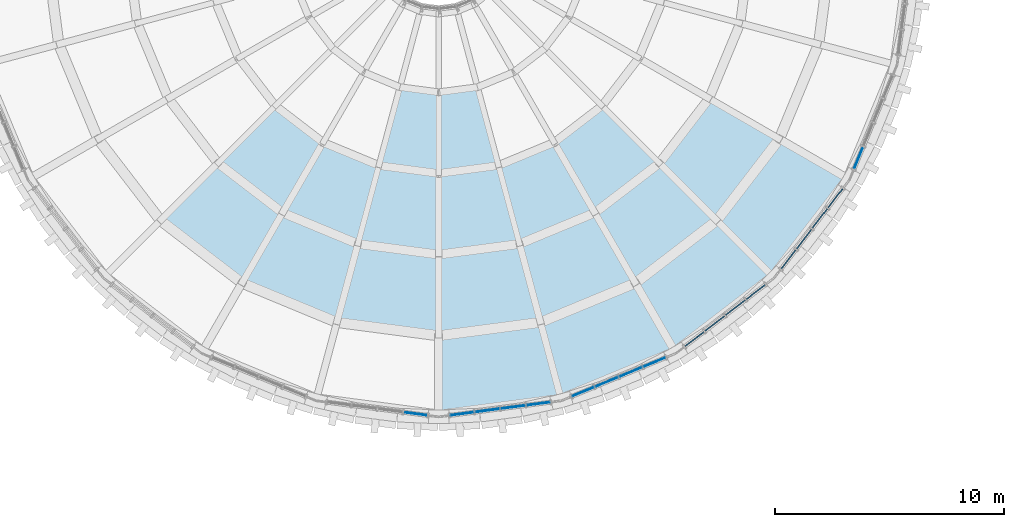
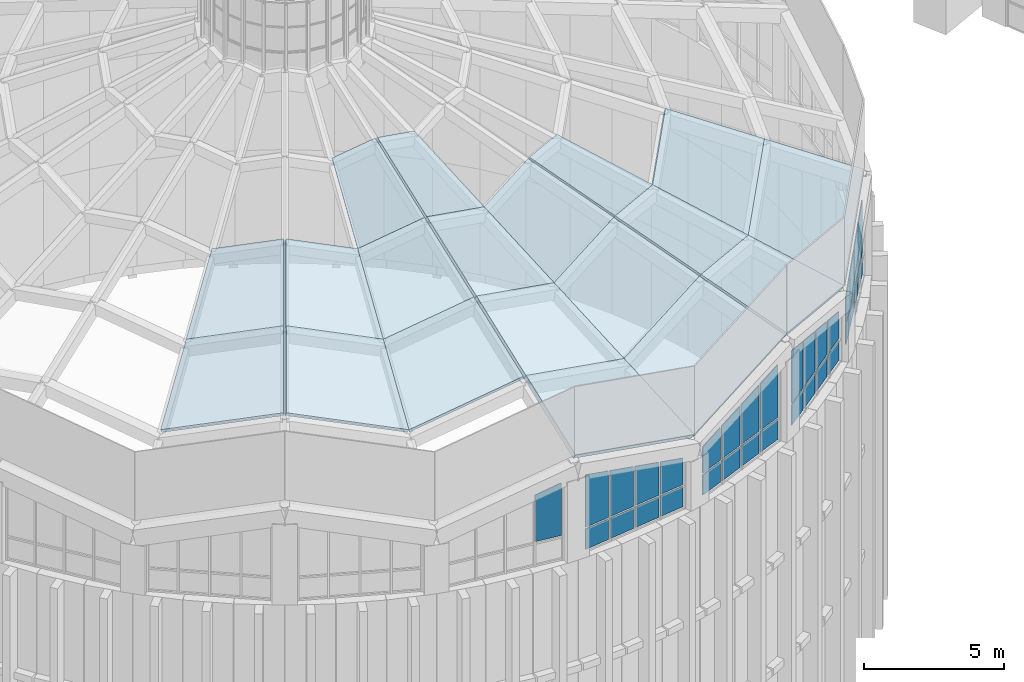
# One storey, part 39 of 82: 34 plates, 19 slabs, 7 elements without a shape of their own.
"""IFC4 building model written with IfcOpenShell, lengths in metres."""

from ifc_helpers import new_model, si_unit, direction, frame, origin, origin_2d, place, context, subcontext, project, spatial, polyline, rectangle, outline, extrude, material, layer, layer_set, type_object, element, aggregate, save


model = new_model("IFC4")

# Units and contexts
model_context = context("Model", 3, precision=1e-05, world=origin(), true_north=direction((0.0, 1.0)))
body_context = subcontext(model_context, "Body", "Model", "MODEL_VIEW")
ifc_project = project(units=[si_unit("LENGTHUNIT", "METRE"), si_unit("AREAUNIT", "SQUARE_METRE"), si_unit("VOLUMEUNIT", "CUBIC_METRE"), si_unit("PLANEANGLEUNIT", "RADIAN"), si_unit("MASSUNIT", "GRAM", prefix="KILO")], contexts=[model_context])

# Site, building, storey
site_placement = place(None, origin())
site = spatial("IfcSite", under=ifc_project, at=site_placement, CompositionType="ELEMENT")
building_placement = place(site_placement, origin())
building = spatial("IfcBuilding", under=site, at=building_placement, Name="Volute Hill Aquarium", CompositionType="ELEMENT")
storey_placement = place(building_placement, frame((0.0, 0.0, 13.800048828125)))
storey = spatial("IfcBuildingStorey", under=building, at=storey_placement, Name="L04", CompositionType="ELEMENT", Elevation=13.800048828125)

# Curtain wall, plate
ifc_material_1 = material(Name="Aluminium", Category="aluminium")
ifc_layer_1 = layer(ifc_material_1, 0.219970703125)
ifc_layer_set_1 = layer_set([ifc_layer_1], Name="Curtain wall DR clerestory module 1134")
curtain_wall_type = type_object("IfcCurtainWallType", Name="Curtain wall DR clerestory module 1134", PredefinedType="NOTDEFINED", material=ifc_layer_set_1)
curtain_wall_1_placement = place(storey_placement, origin())
curtain_wall_1 = element("IfcCurtainWall", 1, at=curtain_wall_1_placement, inside=storey, type_object=curtain_wall_type, Name="Curtain wall CW DR clerestory c17", PredefinedType="NOTDEFINED")
ifc_material_2 = material(Name="Glass, low-iron laminated", Category="glass")
ifc_layer_2 = layer(ifc_material_2, 0.035888671875)
ifc_layer_set_2 = layer_set([ifc_layer_2], Name="Curtain wall glass panel clerestory 36")
plate_type = type_object("IfcPlateType", Name="Curtain wall glass panel clerestory 36", PredefinedType="CURTAIN_PANEL", material=ifc_layer_set_2)
plate_1_placement = place(storey_placement, frame((-1.522216796875, -20.517822265625, 14.73486328125), z_axis=(-0.130485197808, -0.991450257528, 0.0), x_axis=(0.991450257528, -0.130485197808, 0.0)))
plate_1 = element("IfcPlate", 2, at=plate_1_placement, type_object=plate_type, Name="Panel DR clerestory 4.2", PredefinedType="CURTAIN_PANEL", context=body_context, shape_type="SweptSolid", body=[
    extrude(outline(polyline([(0.0, 0.0), (1.0290618859876277, 0.0), (1.0290618859876277, 2.2917480468750004), (0.0, 2.0251464843750004), (0.0, 0.0)])), origin(), (0.0, 0.0, -1.0), 0.035888671875),
])
aggregate(curtain_wall_1, [plate_1])

# Curtain wall, plates
curtain_wall_2_placement = place(storey_placement, origin())
curtain_wall_2 = element("IfcCurtainWall", 3, at=curtain_wall_2_placement, inside=storey, type_object=curtain_wall_type, Name="Curtain wall CW DR clerestory c18", PredefinedType="NOTDEFINED")
plate_2_placement = place(storey_placement, frame((1.009765625, -20.567138671875, 13.77001953125), z_axis=(0.0, 0.0, 1.0), x_axis=(0.991445853287, 0.130518657667, 0.0)))
plate_2 = element("IfcPlate", 4, at=plate_2_placement, type_object=plate_type, Name="Panel DR clerestory 1.1", PredefinedType="CURTAIN_PANEL", context=body_context, shape_type="SweptSolid", body=[
    extrude(rectangle(XDim=1.029052734375, YDim=0.035888671875, at=origin_2d()), origin(), (0.0, 0.0, 1.0), 0.89501953125),
])
plate_3_placement = place(storey_placement, frame((0.501953125, -20.652099609375, 14.73486328125), z_axis=(0.130485197808, -0.991450257528, 0.0), x_axis=(0.991450257528, 0.130485197808, 0.0)))
plate_3 = element("IfcPlate", 5, at=plate_3_placement, type_object=plate_type, Name="Panel DR clerestory 1.2", PredefinedType="CURTAIN_PANEL", context=body_context, shape_type="SweptSolid", body=[
    extrude(outline(polyline([(0.0, 0.0), (1.0290618859876277, 0.0), (1.0290618859876277, 2.0251464843750004), (0.0, 2.2917480468750004), (0.0, 0.0)])), origin(), (0.0, 0.0, -1.0), 0.035888671875),
])
plate_4_placement = place(storey_placement, frame((2.11669921875, -20.42138671875, 13.77001953125), z_axis=(0.0, 0.0, 1.0), x_axis=(0.991445853287, 0.130518657667, 0.0)))
plate_4 = element("IfcPlate", 6, at=plate_4_placement, type_object=plate_type, Name="Panel DR clerestory 2.1", PredefinedType="CURTAIN_PANEL", context=body_context, shape_type="SweptSolid", body=[
    extrude(rectangle(XDim=1.06396484375, YDim=0.035888671875, at=origin_2d()), origin(), (0.0, 0.0, 1.0), 0.89501953125),
])
plate_5_placement = place(storey_placement, frame((1.591552734375, -20.508544921875, 14.73486328125), z_axis=(0.1305554124, -0.991441014026, 0.0), x_axis=(0.991441014026, 0.1305554124, 0.0)))
plate_5 = element("IfcPlate", 7, at=plate_5_placement, type_object=plate_type, Name="Panel DR clerestory 2.2", PredefinedType="CURTAIN_PANEL", context=body_context, shape_type="SweptSolid", body=[
    extrude(outline(polyline([(0.0, 0.0), (1.0640387332183352, 0.0), (1.0640387332183352, 1.7314453125), (0.0, 2.007080078125), (0.0, 0.0)])), origin(), (0.0, 0.0, -1.0), 0.035888671875),
])
plate_6_placement = place(storey_placement, frame((3.240966796875, -20.2734375, 13.77001953125), z_axis=(0.0, 0.0, 1.0), x_axis=(0.991445853287, 0.130518657667, 0.0)))
plate_6 = element("IfcPlate", 8, at=plate_6_placement, type_object=plate_type, Name="Panel DR clerestory 3.1", PredefinedType="CURTAIN_PANEL", context=body_context, shape_type="SweptSolid", body=[
    extrude(rectangle(XDim=1.06396484375, YDim=0.035888671875, at=origin_2d()), origin(), (0.0, 0.0, 1.0), 0.89501953125),
])
plate_7_placement = place(storey_placement, frame((2.7158203125, -20.360595703125, 14.73486328125), z_axis=(0.1305554124, -0.991441014026, 0.0), x_axis=(0.991441014026, 0.1305554124, 0.0)))
plate_7 = element("IfcPlate", 9, at=plate_7_placement, type_object=plate_type, Name="Panel DR clerestory 3.2", PredefinedType="CURTAIN_PANEL", context=body_context, shape_type="SweptSolid", body=[
    extrude(outline(polyline([(0.0, 0.0), (1.0640387332183354, 0.0), (1.0640387332183354, 1.437744140625), (0.0, 1.71337890625), (0.0, 0.0)])), origin(), (0.0, 0.0, -1.0), 0.035888671875),
])
plate_8_placement = place(storey_placement, frame((4.347900390625, -20.127685546875, 13.77001953125), z_axis=(0.0, 0.0, 1.0), x_axis=(0.991445853287, 0.130518657667, 0.0)))
plate_8 = element("IfcPlate", 10, at=plate_8_placement, type_object=plate_type, Name="Panel DR clerestory 4.1", PredefinedType="CURTAIN_PANEL", context=body_context, shape_type="SweptSolid", body=[
    extrude(rectangle(XDim=1.029052734375, YDim=0.035888671875, at=origin_2d()), origin(), (0.0, 0.0, 1.0), 0.89501953125),
])
plate_9_placement = place(storey_placement, frame((3.84033203125, -20.212646484375, 14.73486328125), z_axis=(0.130515897359, -0.991446216664, 0.0), x_axis=(0.991446216664, 0.130515897359, 0.0)))
plate_9 = element("IfcPlate", 11, at=plate_9_placement, type_object=plate_type, Name="Panel DR clerestory 4.2", PredefinedType="CURTAIN_PANEL", context=body_context, shape_type="SweptSolid", body=[
    extrude(outline(polyline([(0.0, 0.0), (1.02881983319531, 0.0), (1.02881983319531, 1.15283203125), (0.0, 1.41943359375), (0.0, 0.0)])), origin(), (0.0, 0.0, -1.0), 0.035888671875),
])
aggregate(curtain_wall_2, [plate_2, plate_3, plate_4, plate_5, plate_6, plate_7, plate_8, plate_9])

curtain_wall_3_placement = place(storey_placement, origin())
curtain_wall_3 = element("IfcCurtainWall", 12, at=curtain_wall_3_placement, inside=storey, type_object=curtain_wall_type, Name="Curtain wall CW DR clerestory c19", PredefinedType="NOTDEFINED")
plate_10_placement = place(storey_placement, frame((6.29833984375, -19.60498046875, 13.77001953125), z_axis=(0.0, 0.0, 1.0), x_axis=(0.923874284426, 0.382696102118, 0.0)))
plate_10 = element("IfcPlate", 13, at=plate_10_placement, type_object=plate_type, Name="Panel DR clerestory 1.1", PredefinedType="CURTAIN_PANEL", context=body_context, shape_type="SweptSolid", body=[
    extrude(rectangle(XDim=1.029052734375, YDim=0.035888671875, at=origin_2d()), origin(), (0.0, 0.0, 1.0), 0.89501953125),
])
plate_11_placement = place(storey_placement, frame((5.830078125, -19.818359375, 14.73486328125), z_axis=(0.382777942923, -0.923840379293, 0.0), x_axis=(0.923840379293, 0.382777942923, 0.0)))
plate_11 = element("IfcPlate", 14, at=plate_11_placement, type_object=plate_type, Name="Panel DR clerestory 1.2", PredefinedType="CURTAIN_PANEL", context=body_context, shape_type="SweptSolid", body=[
    extrude(outline(polyline([(0.0, 0.0), (1.0287918502248996, 0.0), (1.0287918502248996, 1.41943359375), (0.0, 1.15283203125), (0.0, 0.0)])), origin(), (0.0, 0.0, -1.0), 0.035888671875),
])
plate_12_placement = place(storey_placement, frame((7.330078125, -19.177734375, 13.77001953125), z_axis=(0.0, 0.0, 1.0), x_axis=(0.923874284426, 0.382696102118, 0.0)))
plate_12 = element("IfcPlate", 15, at=plate_12_placement, type_object=plate_type, Name="Panel DR clerestory 2.1", PredefinedType="CURTAIN_PANEL", context=body_context, shape_type="SweptSolid", body=[
    extrude(rectangle(XDim=1.06396484375, YDim=0.035888671875, at=origin_2d()), origin(), (0.0, 0.0, 1.0), 0.89501953125),
])
plate_13_placement = place(storey_placement, frame((6.84521484375, -19.39794921875, 14.73486328125), z_axis=(0.382675987972, -0.923882616045, 0.0), x_axis=(0.923882616045, 0.382675987972, 0.0)))
plate_13 = element("IfcPlate", 16, at=plate_13_placement, type_object=plate_type, Name="Panel DR clerestory 2.2", PredefinedType="CURTAIN_PANEL", context=body_context, shape_type="SweptSolid", body=[
    extrude(outline(polyline([(0.0, 0.0), (1.064154990905621, 0.0), (1.064154990905621, 1.7133789062500004), (0.0, 1.4377441406250002), (0.0, 0.0)])), origin(), (0.0, 0.0, -1.0), 0.035888671875),
])
plate_14_placement = place(storey_placement, frame((8.377685546875, -18.74365234375, 13.77001953125), z_axis=(0.0, 0.0, 1.0), x_axis=(0.923874284426, 0.382696102118, 0.0)))
plate_14 = element("IfcPlate", 17, at=plate_14_placement, type_object=plate_type, Name="Panel DR clerestory 3.1", PredefinedType="CURTAIN_PANEL", context=body_context, shape_type="SweptSolid", body=[
    extrude(rectangle(XDim=1.06396484375, YDim=0.035888671875, at=origin_2d()), origin(), (0.0, 0.0, 1.0), 0.89501953125),
])
plate_15_placement = place(storey_placement, frame((7.89306640625, -18.9638671875, 14.73486328125), z_axis=(0.38275711533, -0.923849008585, 0.0), x_axis=(0.923849008585, 0.38275711533, 0.0)))
plate_15 = element("IfcPlate", 18, at=plate_15_placement, type_object=plate_type, Name="Panel DR clerestory 3.2", PredefinedType="CURTAIN_PANEL", context=body_context, shape_type="SweptSolid", body=[
    extrude(outline(polyline([(0.0, 0.0), (1.0639294377283515, 0.0), (1.0639294377283515, 2.007080078125), (0.0, 1.7314453125), (0.0, 0.0)])), origin(), (0.0, 0.0, -1.0), 0.035888671875),
])
plate_16_placement = place(storey_placement, frame((9.4091796875, -18.31640625, 13.77001953125), z_axis=(0.0, 0.0, 1.0), x_axis=(0.923874284426, 0.382696102118, 0.0)))
plate_16 = element("IfcPlate", 19, at=plate_16_placement, type_object=plate_type, Name="Panel DR clerestory 4.1", PredefinedType="CURTAIN_PANEL", context=body_context, shape_type="SweptSolid", body=[
    extrude(rectangle(XDim=1.029052734375, YDim=0.035888671875, at=origin_2d()), origin(), (0.0, 0.0, 1.0), 0.89501953125),
])
plate_17_placement = place(storey_placement, frame((8.940673828125, -18.530029296875, 14.73486328125), z_axis=(0.382694041496, -0.923875137994, 0.0), x_axis=(0.923875137994, 0.382694041496, 0.0)))
plate_17 = element("IfcPlate", 20, at=plate_17_placement, type_object=plate_type, Name="Panel DR clerestory 4.2", PredefinedType="CURTAIN_PANEL", context=body_context, shape_type="SweptSolid", body=[
    extrude(outline(polyline([(0.0, 0.0), (1.029017401435971, 0.0), (1.029017401435971, 2.2917480468750004), (0.0, 2.0251464843750004), (0.0, 0.0)])), origin(), (0.0, 0.0, -1.0), 0.035888671875),
])
aggregate(curtain_wall_3, [plate_10, plate_11, plate_12, plate_13, plate_14, plate_15, plate_16, plate_17])

curtain_wall_4_placement = place(storey_placement, origin())
curtain_wall_4 = element("IfcCurtainWall", 21, at=curtain_wall_4_placement, inside=storey, type_object=curtain_wall_type, Name="Curtain wall CW DR clerestory c20", PredefinedType="NOTDEFINED")
plate_18_placement = place(storey_placement, frame((11.157958984375, -17.306640625, 13.77001953125), z_axis=(0.0, 0.0, 1.0), x_axis=(0.793354013303, 0.608760551921, 0.0)))
plate_18 = element("IfcPlate", 22, at=plate_18_placement, type_object=plate_type, Name="Panel DR clerestory 1.1", PredefinedType="CURTAIN_PANEL", context=body_context, shape_type="SweptSolid", body=[
    extrude(rectangle(XDim=1.029052734375, YDim=0.035888671875, at=origin_2d()), origin(), (0.0, 0.0, 1.0), 0.89501953125),
])
plate_19_placement = place(storey_placement, frame((10.7607421875, -17.63427734375, 14.73486328125), z_axis=(0.608620818261, -0.793461214918, 0.0), x_axis=(0.793461214918, 0.608620818261, 0.0)))
plate_19 = element("IfcPlate", 23, at=plate_19_placement, type_object=plate_type, Name="Panel DR clerestory 1.2", PredefinedType="CURTAIN_PANEL", context=body_context, shape_type="SweptSolid", body=[
    extrude(outline(polyline([(0.0, 0.0), (1.0289176517396483, 0.0), (1.0289176517396483, 2.025146484375), (0.0, 2.291748046875), (0.0, 0.0)])), origin(), (0.0, 0.0, -1.0), 0.035888671875),
])
plate_20_placement = place(storey_placement, frame((12.043701171875, -16.626953125, 13.77001953125), z_axis=(0.0, 0.0, 1.0), x_axis=(0.793354013303, 0.608760551921, 0.0)))
plate_20 = element("IfcPlate", 24, at=plate_20_placement, type_object=plate_type, Name="Panel DR clerestory 2.1", PredefinedType="CURTAIN_PANEL", context=body_context, shape_type="SweptSolid", body=[
    extrude(rectangle(XDim=1.06396484375, YDim=0.035888671875, at=origin_2d()), origin(), (0.0, 0.0, 1.0), 0.89501953125),
])
plate_21_placement = place(storey_placement, frame((11.632568359375, -16.965087890625, 14.73486328125), z_axis=(0.608701247669, -0.793399515431, 0.0), x_axis=(0.793399515431, 0.608701247669, 0.0)))
plate_21 = element("IfcPlate", 25, at=plate_21_placement, type_object=plate_type, Name="Panel DR clerestory 2.2", PredefinedType="CURTAIN_PANEL", context=body_context, shape_type="SweptSolid", body=[
    extrude(outline(polyline([(0.0, 0.0), (1.0640771324283154, 0.0), (1.0640771324283154, 1.7314453125000004), (0.0, 2.0070800781250004), (0.0, 0.0)])), origin(), (0.0, 0.0, -1.0), 0.035888671875),
])
plate_22_placement = place(storey_placement, frame((12.943359375, -15.936767578125, 13.77001953125), z_axis=(0.0, 0.0, 1.0), x_axis=(0.793354013303, 0.608760551921, 0.0)))
plate_22 = element("IfcPlate", 26, at=plate_22_placement, type_object=plate_type, Name="Panel DR clerestory 3.1", PredefinedType="CURTAIN_PANEL", context=body_context, shape_type="SweptSolid", body=[
    extrude(rectangle(XDim=1.06396484375, YDim=0.035888671875, at=origin_2d()), origin(), (0.0, 0.0, 1.0), 0.89501953125),
])
plate_23_placement = place(storey_placement, frame((12.5322265625, -16.274658203125, 14.73486328125), z_axis=(0.608701247669, -0.793399515431, 0.0), x_axis=(0.793399515431, 0.608701247669, 0.0)))
plate_23 = element("IfcPlate", 27, at=plate_23_placement, type_object=plate_type, Name="Panel DR clerestory 3.2", PredefinedType="CURTAIN_PANEL", context=body_context, shape_type="SweptSolid", body=[
    extrude(outline(polyline([(0.0, 0.0), (1.0640771324283154, 0.0), (1.0640771324283154, 1.4377441406250002), (0.0, 1.7133789062500004), (0.0, 0.0)])), origin(), (0.0, 0.0, -1.0), 0.035888671875),
])
plate_24_placement = place(storey_placement, frame((13.8291015625, -15.257080078125, 13.77001953125), z_axis=(0.0, 0.0, 1.0), x_axis=(0.793354013303, 0.608760551921, 0.0)))
plate_24 = element("IfcPlate", 28, at=plate_24_placement, type_object=plate_type, Name="Panel DR clerestory 4.1", PredefinedType="CURTAIN_PANEL", context=body_context, shape_type="SweptSolid", body=[
    extrude(rectangle(XDim=1.029052734375, YDim=0.035888671875, at=origin_2d()), origin(), (0.0, 0.0, 1.0), 0.89501953125),
])
plate_25_placement = place(storey_placement, frame((13.431884765625, -15.58447265625, 14.73486328125), z_axis=(0.608770172228, -0.793346631306, 0.0), x_axis=(0.793346631306, 0.608770172228, 0.0)))
plate_25 = element("IfcPlate", 29, at=plate_25_placement, type_object=plate_type, Name="Panel DR clerestory 4.2", PredefinedType="CURTAIN_PANEL", context=body_context, shape_type="SweptSolid", body=[
    extrude(outline(polyline([(0.0, 0.0), (1.0290662590396085, 0.0), (1.0290662590396085, 1.1528320312500002), (0.0, 1.4194335937500002), (0.0, 0.0)])), origin(), (0.0, 0.0, -1.0), 0.035888671875),
])
aggregate(curtain_wall_4, [plate_18, plate_19, plate_20, plate_21, plate_22, plate_23, plate_24, plate_25])

curtain_wall_5_placement = place(storey_placement, origin())
curtain_wall_5 = element("IfcCurtainWall", 30, at=curtain_wall_5_placement, inside=storey, type_object=curtain_wall_type, Name="Curtain wall CW DR clerestory c21", PredefinedType="NOTDEFINED")
plate_26_placement = place(storey_placement, frame((15.257080078125, -13.8291015625, 13.77001953125), z_axis=(0.0, 0.0, 1.0), x_axis=(0.608760551921, 0.793354013303, 0.0)))
plate_26 = element("IfcPlate", 31, at=plate_26_placement, type_object=plate_type, Name="Panel DR clerestory 1.1", PredefinedType="CURTAIN_PANEL", context=body_context, shape_type="SweptSolid", body=[
    extrude(rectangle(XDim=1.029052734375, YDim=0.035888671875, at=origin_2d()), origin(), (0.0, 0.0, 1.0), 0.89501953125),
])
plate_27_placement = place(storey_placement, frame((14.9580078125, -14.248291015625, 14.73486328125), z_axis=(0.793346631306, -0.608770172228, 0.0), x_axis=(0.608770172228, 0.793346631306, 0.0)))
plate_27 = element("IfcPlate", 32, at=plate_27_placement, type_object=plate_type, Name="Panel DR clerestory 1.2", PredefinedType="CURTAIN_PANEL", context=body_context, shape_type="SweptSolid", body=[
    extrude(outline(polyline([(0.0, 0.0), (1.0290662590396085, 0.0), (1.0290662590396085, 1.4194335937500002), (0.0, 1.1528320312500002), (0.0, 0.0)])), origin(), (0.0, 0.0, -1.0), 0.035888671875),
])
plate_28_placement = place(storey_placement, frame((15.936767578125, -12.943359375, 13.77001953125), z_axis=(0.0, 0.0, 1.0), x_axis=(0.608760551921, 0.793354013303, 0.0)))
plate_28 = element("IfcPlate", 33, at=plate_28_placement, type_object=plate_type, Name="Panel DR clerestory 2.1", PredefinedType="CURTAIN_PANEL", context=body_context, shape_type="SweptSolid", body=[
    extrude(rectangle(XDim=1.06396484375, YDim=0.035888671875, at=origin_2d()), origin(), (0.0, 0.0, 1.0), 0.89501953125),
])
plate_29_placement = place(storey_placement, frame((15.626953125, -13.37646484375, 14.73486328125), z_axis=(0.793399515431, -0.608701247669, 0.0), x_axis=(0.608701247669, 0.793399515431, 0.0)))
plate_29 = element("IfcPlate", 34, at=plate_29_placement, type_object=plate_type, Name="Panel DR clerestory 2.2", PredefinedType="CURTAIN_PANEL", context=body_context, shape_type="SweptSolid", body=[
    extrude(outline(polyline([(0.0, 0.0), (1.0640771324283154, 0.0), (1.0640771324283154, 1.7133789062500004), (0.0, 1.4377441406250002), (0.0, 0.0)])), origin(), (0.0, 0.0, -1.0), 0.035888671875),
])
plate_30_placement = place(storey_placement, frame((16.626953125, -12.043701171875, 13.77001953125), z_axis=(0.0, 0.0, 1.0), x_axis=(0.608760551921, 0.793354013303, 0.0)))
plate_30 = element("IfcPlate", 35, at=plate_30_placement, type_object=plate_type, Name="Panel DR clerestory 3.1", PredefinedType="CURTAIN_PANEL", context=body_context, shape_type="SweptSolid", body=[
    extrude(rectangle(XDim=1.06396484375, YDim=0.035888671875, at=origin_2d()), origin(), (0.0, 0.0, 1.0), 0.89501953125),
])
plate_31_placement = place(storey_placement, frame((16.3173828125, -12.476806640625, 14.73486328125), z_axis=(0.793399515431, -0.608701247669, 0.0), x_axis=(0.608701247669, 0.793399515431, 0.0)))
plate_31 = element("IfcPlate", 36, at=plate_31_placement, type_object=plate_type, Name="Panel DR clerestory 3.2", PredefinedType="CURTAIN_PANEL", context=body_context, shape_type="SweptSolid", body=[
    extrude(outline(polyline([(0.0, 0.0), (1.0640771324283154, 0.0), (1.0640771324283154, 2.0070800781250004), (0.0, 1.7314453125000004), (0.0, 0.0)])), origin(), (0.0, 0.0, -1.0), 0.035888671875),
])
plate_32_placement = place(storey_placement, frame((17.306640625, -11.157958984375, 13.77001953125), z_axis=(0.0, 0.0, 1.0), x_axis=(0.608760551921, 0.793354013303, 0.0)))
plate_32 = element("IfcPlate", 37, at=plate_32_placement, type_object=plate_type, Name="Panel DR clerestory 4.1", PredefinedType="CURTAIN_PANEL", context=body_context, shape_type="SweptSolid", body=[
    extrude(rectangle(XDim=1.029052734375, YDim=0.035888671875, at=origin_2d()), origin(), (0.0, 0.0, 1.0), 0.89501953125),
])
plate_33_placement = place(storey_placement, frame((17.008056640625, -11.5771484375, 14.73486328125), z_axis=(0.793461214918, -0.608620818261, 0.0), x_axis=(0.608620818261, 0.793461214918, 0.0)))
plate_33 = element("IfcPlate", 38, at=plate_33_placement, type_object=plate_type, Name="Panel DR clerestory 4.2", PredefinedType="CURTAIN_PANEL", context=body_context, shape_type="SweptSolid", body=[
    extrude(outline(polyline([(0.0, 0.0), (1.0289176517396483, 0.0), (1.0289176517396483, 2.291748046875), (0.0, 2.025146484375), (0.0, 0.0)])), origin(), (0.0, 0.0, -1.0), 0.035888671875),
])
aggregate(curtain_wall_5, [plate_26, plate_27, plate_28, plate_29, plate_30, plate_31, plate_32, plate_33])

# Curtain wall, plate
curtain_wall_6_placement = place(storey_placement, origin())
curtain_wall_6 = element("IfcCurtainWall", 39, at=curtain_wall_6_placement, inside=storey, type_object=curtain_wall_type, Name="Curtain wall CW DR clerestory c22", PredefinedType="NOTDEFINED")
plate_34_placement = place(storey_placement, frame((18.31640625, -9.4091796875, 13.77001953125), z_axis=(0.0, 0.0, 1.0), x_axis=(0.382696102118, 0.923874284426, 0.0)))
plate_34 = element("IfcPlate", 40, at=plate_34_placement, type_object=plate_type, Name="Panel DR clerestory 1.1", PredefinedType="CURTAIN_PANEL", context=body_context, shape_type="SweptSolid", body=[
    extrude(rectangle(XDim=1.029052734375, YDim=0.035888671875, at=origin_2d()), origin(), (0.0, 0.0, 1.0), 0.89501953125),
])
aggregate(curtain_wall_6, [plate_34])

# Roof, slabs
roof_placement = place(storey_placement, origin())
roof = element("IfcRoof", 41, at=roof_placement, inside=storey, Name="Folded dome shell roof", PredefinedType="DOME_ROOF")
ifc_material_3 = material(Name="Concrete C40/50", Category="concrete")
ifc_layer_3 = layer(ifc_material_3, 0.139892578125)
ifc_layer_set_3 = layer_set([ifc_layer_3], Name="Dome shell plate C40/50 140")
slab_type_1 = type_object("IfcSlabType", Name="Dome shell plate C40/50 140", PredefinedType="ROOF", material=ifc_layer_set_3)
slab_1_placement = place(storey_placement, frame((-2.60888671875, -9.736572265625, 21.378173828125), z_axis=(-0.279266177282, -0.335474097256, 0.899704135978), x_axis=(0.959744160327, -0.126820128678, 0.250614847286)))
slab_1 = element("IfcSlab", 42, at=slab_1_placement, type_object=slab_type_1, Name="Dome shell plate 4.18", PredefinedType="ROOF", context=body_context, shape_type="SweptSolid", body=[
    extrude(outline(polyline([(0.0, 0.0), (2.6735844823172137, -5.551115123125783e-17), (2.555403817911305, 3.7762211062591913), (0.8365734267340508, 3.776832337006092), (0.0, 0.0)])), origin(), (0.0, 0.0, -1.0), 0.139892578125),
])
slab_2_placement = place(storey_placement, frame((0.04296875, -10.07568359375, 22.04833984375), z_axis=(0.279266177282, -0.335474097256, 0.899704135978), x_axis=(0.959744160327, 0.126820128678, -0.250614847286)))
slab_2 = element("IfcSlab", 43, at=slab_2_placement, type_object=slab_type_1, Name="Dome shell plate 4.19", PredefinedType="ROOF", context=body_context, shape_type="SweptSolid", body=[
    extrude(outline(polyline([(0.0, 0.0), (2.6735844823172137, 5.551115123125783e-17), (1.8370110555831625, 3.7768323370060926), (0.11818066440590841, 3.7762211062591917), (0.0, 0.0)])), origin(), (0.0, 0.0, -1.0), 0.139892578125),
])
ifc_material_4 = material(Name="Concrete C40/50", Category="concrete")
ifc_layer_4 = layer(ifc_material_4, 0.159912109375)
ifc_layer_set_4 = layer_set([ifc_layer_4], Name="Dome shell plate C40/50 160")
slab_type_2 = type_object("IfcSlabType", Name="Dome shell plate C40/50 160", PredefinedType="ROOF", material=ifc_layer_set_4)
slab_3_placement = place(storey_placement, frame((-9.630859375, -9.630859375, 19.81884765625), z_axis=(-0.409570817127, -0.150875828039, 0.899715638561), x_axis=(0.767786651978, -0.589649337697, 0.25063382772)))
slab_3 = element("IfcSlab", 44, at=slab_3_placement, type_object=slab_type_2, Name="Dome shell plate 3.16", PredefinedType="ROOF", context=body_context, shape_type="SweptSolid", body=[
    extrude(outline(polyline([(0.0, 0.0), (3.6224547851898223, -3.3306690738754696e-16), (3.5044282511796907, 3.7763511270510373), (0.8367285500414969, 3.7766574994908098), (0.0, 0.0)])), origin(), (0.0, 0.0, -1.0), 0.159912109375),
])
slab_4_placement = place(storey_placement, frame((-6.765380859375, -11.815185546875, 20.726806640625), z_axis=(0.074111146149, -0.430136933287, 0.899716486811), x_axis=(0.894516149821, -0.370157422167, -0.25064784165)))
slab_4 = element("IfcSlab", 45, at=slab_4_placement, type_object=slab_type_2, Name="Dome shell plate 3.17", PredefinedType="ROOF", context=body_context, shape_type="SweptSolid", body=[
    extrude(outline(polyline([(0.0, 0.0), (3.6223345278476553, -5.551115123125783e-17), (2.7853732218885705, 3.7766455938804473), (0.11749965526001205, 3.776054919106853), (0.0, 0.0)])), origin(), (0.0, 0.0, -1.0), 0.159912109375),
])
slab_5_placement = place(storey_placement, frame((-3.525146484375, -13.156005859375, 19.81884765625), z_axis=(-0.279264468001, -0.335457333661, 0.89971091702), x_axis=(0.959748043462, -0.126709346415, 0.250656008511)))
slab_5 = element("IfcSlab", 46, at=slab_5_placement, type_object=slab_type_2, Name="Dome shell plate 3.18", PredefinedType="ROOF", context=body_context, shape_type="SweptSolid", body=[
    extrude(outline(polyline([(0.0, 0.0), (3.6223670424331416, 5.551115123125783e-17), (3.504663812048471, 3.776007151315561), (0.8369587957977916, 3.7766461502897553), (0.0, 0.0)])), origin(), (0.0, 0.0, -1.0), 0.159912109375),
])
slab_6_placement = place(storey_placement, frame((0.048583984375, -13.614990234375, 20.726806640625), z_axis=(0.279264468001, -0.335457333661, 0.89971091702), x_axis=(0.959748043462, 0.126709346415, -0.250656008511)))
slab_6 = element("IfcSlab", 47, at=slab_6_placement, type_object=slab_type_2, Name="Dome shell plate 3.19", PredefinedType="ROOF", context=body_context, shape_type="SweptSolid", body=[
    extrude(outline(polyline([(0.0, 0.0), (3.6223670424331416, -5.551115123125783e-17), (2.78540824663535, 3.7766461502897553), (0.11770323038467051, 3.776007151315561), (0.0, 0.0)])), origin(), (0.0, 0.0, -1.0), 0.159912109375),
])
slab_7_placement = place(storey_placement, frame((3.525146484375, -13.156005859375, 19.81884765625), z_axis=(-0.074111146149, -0.430136933287, 0.899716486811), x_axis=(0.894516149821, 0.370157422167, 0.25064784165)))
slab_7 = element("IfcSlab", 48, at=slab_7_placement, type_object=slab_type_2, Name="Dome shell plate 3.20", PredefinedType="ROOF", context=body_context, shape_type="SweptSolid", body=[
    extrude(outline(polyline([(0.0, 0.0), (3.6223345278476553, 5.551115123125783e-17), (3.504834872587643, 3.7760549191068526), (0.8369613059590846, 3.7766455938804473), (0.0, 0.0)])), origin(), (0.0, 0.0, -1.0), 0.159912109375),
])
slab_8_placement = place(storey_placement, frame((6.849609375, -11.766845703125, 20.726806640625), z_axis=(0.409570817127, -0.150875828039, 0.899715638561), x_axis=(0.767786651978, 0.589649337697, -0.25063382772)))
slab_8 = element("IfcSlab", 49, at=slab_8_placement, type_object=slab_type_2, Name="Dome shell plate 3.21", PredefinedType="ROOF", context=body_context, shape_type="SweptSolid", body=[
    extrude(outline(polyline([(0.0, 0.0), (3.6224547851898223, 3.3306690738754696e-16), (2.785726235148326, 3.77665749949081), (0.11802653401013219, 3.7763511270510377), (0.0, 0.0)])), origin(), (0.0, 0.0, -1.0), 0.159912109375),
])
ifc_material_5 = material(Name="Concrete C40/50", Category="concrete")
ifc_layer_5 = layer(ifc_material_5, 0.179931640625)
ifc_layer_set_5 = layer_set([ifc_layer_5], Name="Dome shell plate C40/50 180")
slab_type_3 = type_object("IfcSlabType", Name="Dome shell plate C40/50 180", PredefinedType="ROOF", material=ifc_layer_set_5)
slab_9_placement = place(storey_placement, frame((-12.134033203125, -12.134033203125, 18.25927734375), z_axis=(-0.409611973827, -0.150916530515, 0.899690075367), x_axis=(0.767837319943, -0.589560601899, 0.250687348686)))
slab_9 = element("IfcSlab", 50, at=slab_9_placement, type_object=slab_type_3, Name="Dome shell plate 2.16", PredefinedType="ROOF", context=body_context, shape_type="SweptSolid", body=[
    extrude(outline(polyline([(0.0, 0.0), (4.571309337870088, -1.6653345369377348e-16), (4.453920320754607, 3.7762581284469428), (0.8372221615039372, 3.7766489165209465), (0.0, 0.0)])), origin(), (0.0, 0.0, -1.0), 0.179931640625),
])
slab_10_placement = place(storey_placement, frame((-8.530517578125, -14.88330078125, 19.4052734375), z_axis=(0.074124350605, -0.430212586088, 0.899679226957), x_axis=(0.894522057418, -0.370118439403, -0.250684322617)))
slab_10 = element("IfcSlab", 51, at=slab_10_placement, type_object=slab_type_3, Name="Dome shell plate 2.17", PredefinedType="ROOF", context=body_context, shape_type="SweptSolid", body=[
    extrude(outline(polyline([(0.0, 0.0), (4.571284896271191, 3.3306690738754696e-16), (3.7344345751690344, 3.7765499561742835), (0.11773865729988492, 3.7762472430668894), (0.0, 0.0)])), origin(), (0.0, 0.0, -1.0), 0.179931640625),
])
slab_11_placement = place(storey_placement, frame((-4.44140625, -16.5751953125, 18.25927734375), z_axis=(-0.279300829786, -0.335503828352, 0.899682292613), x_axis=(0.959737595486, -0.12673219192, 0.250684461707)))
slab_11 = element("IfcSlab", 52, at=slab_11_placement, type_object=slab_type_3, Name="Dome shell plate 2.18", PredefinedType="ROOF", context=body_context, shape_type="SweptSolid", body=[
    extrude(outline(polyline([(0.0, 0.0), (4.5712726917889706, -5.551115123125783e-17), (4.453556408002104, 3.776320949152333), (0.8370076146005966, 3.7765150978412447), (0.0, 0.0)])), origin(), (0.0, 0.0, -1.0), 0.179931640625),
])
slab_12_placement = place(storey_placement, frame((0.05419921875, -17.154541015625, 19.4052734375), z_axis=(0.279300829786, -0.335503828352, 0.899682292613), x_axis=(0.959737595486, 0.12673219192, -0.250684461707)))
slab_12 = element("IfcSlab", 53, at=slab_12_placement, type_object=slab_type_3, Name="Dome shell plate 2.19", PredefinedType="ROOF", context=body_context, shape_type="SweptSolid", body=[
    extrude(outline(polyline([(0.0, 0.0), (4.5712726917889706, 5.551115123125783e-17), (3.7342650771883736, 3.7765150978412443), (0.11771628378686672, 3.776320949152333), (0.0, 0.0)])), origin(), (0.0, 0.0, -1.0), 0.179931640625),
])
slab_13_placement = place(storey_placement, frame((4.44140625, -16.5751953125, 18.25927734375), z_axis=(-0.074124350605, -0.430212586088, 0.899679226957), x_axis=(0.894522057418, 0.370118439403, 0.250684322617)))
slab_13 = element("IfcSlab", 54, at=slab_13_placement, type_object=slab_type_3, Name="Dome shell plate 2.20", PredefinedType="ROOF", context=body_context, shape_type="SweptSolid", body=[
    extrude(outline(polyline([(0.0, 0.0), (4.571284896271191, -3.3306690738754696e-16), (4.453546238971307, 3.7762472430668894), (0.8368503211021572, 3.7765499561742835), (0.0, 0.0)])), origin(), (0.0, 0.0, -1.0), 0.179931640625),
])
slab_14_placement = place(storey_placement, frame((8.6240234375, -14.8291015625, 19.4052734375), z_axis=(0.409611973827, -0.150916530515, 0.899690075367), x_axis=(0.767837319943, 0.589560601899, -0.250687348686)))
slab_14 = element("IfcSlab", 55, at=slab_14_placement, type_object=slab_type_3, Name="Dome shell plate 2.21", PredefinedType="ROOF", context=body_context, shape_type="SweptSolid", body=[
    extrude(outline(polyline([(0.0, 0.0), (4.571309337870088, 1.6653345369377348e-16), (3.7340871763661503, 3.7766489165209465), (0.11738901711548122, 3.776258128446943), (0.0, 0.0)])), origin(), (0.0, 0.0, -1.0), 0.179931640625),
])
slab_15_placement = place(storey_placement, frame((12.134033203125, -12.134033203125, 18.25927734375), z_axis=(0.150916530515, -0.409611973827, 0.899690075367), x_axis=(0.589560601899, 0.767837319943, 0.250687348686)))
slab_15 = element("IfcSlab", 56, at=slab_15_placement, type_object=slab_type_3, Name="Dome shell plate 2.22", PredefinedType="ROOF", context=body_context, shape_type="SweptSolid", body=[
    extrude(outline(polyline([(0.0, 0.0), (4.571309337870088, -1.6653345369377348e-16), (4.453920320754607, 3.7762581284469428), (0.8372221615039372, 3.7766489165209465), (0.0, 0.0)])), origin(), (0.0, 0.0, -1.0), 0.179931640625),
])
ifc_material_6 = material(Name="Concrete C40/50", Category="concrete")
ifc_layer_6 = layer(ifc_material_6, 0.199951171875)
ifc_layer_set_6 = layer_set([ifc_layer_6], Name="Dome shell plate C40/50 200")
slab_type_4 = type_object("IfcSlabType", Name="Dome shell plate C40/50 200", PredefinedType="ROOF", material=ifc_layer_set_6)
slab_16_placement = place(storey_placement, frame((0.059814453125, -20.69384765625, 18.083740234375), z_axis=(0.279270904492, -0.335445688066, 0.899713261135), x_axis=(0.959747498472, 0.12666712471, -0.250679434127)))
slab_16 = element("IfcSlab", 57, at=slab_16_placement, type_object=slab_type_4, Name="Dome shell plate 1.19", PredefinedType="ROOF", context=body_context, shape_type="SweptSolid", body=[
    extrude(outline(polyline([(0.0, 0.0), (5.520055272130374, -1.1102230246251565e-16), (4.682916073193682, 3.7766061657673093), (0.11755378110509185, 3.776240675621362), (0.0, 0.0)])), origin(), (0.0, 0.0, -1.0), 0.199951171875),
])
slab_17_placement = place(storey_placement, frame((5.357666015625, -19.99462890625, 16.699951171875), z_axis=(-0.074142092986, -0.430135517658, 0.899714613918), x_axis=(0.894512239755, 0.370149016335, 0.250674208155)))
slab_17 = element("IfcSlab", 58, at=slab_17_placement, type_object=slab_type_4, Name="Dome shell plate 1.20", PredefinedType="ROOF", context=body_context, shape_type="SweptSolid", body=[
    extrude(outline(polyline([(0.0, 0.0), (5.5200460396927955, 0.0), (5.40243431562088, 3.776364068652713), (0.8369772593942765, 3.7766420579479334), (0.0, 0.0)])), origin(), (0.0, 0.0, -1.0), 0.199951171875),
])
slab_18_placement = place(storey_placement, frame((10.398681640625, -17.8916015625, 18.083740234375), z_axis=(0.409575145559, -0.150877920947, 0.89971331718), x_axis=(0.767843172201, 0.589556946659, -0.250678019678)))
slab_18 = element("IfcSlab", 59, at=slab_18_placement, type_object=slab_type_4, Name="Dome shell plate 1.21", PredefinedType="ROOF", context=body_context, shape_type="SweptSolid", body=[
    extrude(outline(polyline([(0.0, 0.0), (5.520059186301094, 3.3306690738754696e-16), (4.682888975810171, 3.776559621580285), (0.11744096834879747, 3.776171175619449), (0.0, 0.0)])), origin(), (0.0, 0.0, -1.0), 0.199951171875),
])
slab_19_placement = place(storey_placement, frame((14.63720703125, -14.63720703125, 16.699951171875), z_axis=(0.150877920947, -0.409575145559, 0.89971331718), x_axis=(0.589556946659, 0.767843172201, 0.250678019678)))
slab_19 = element("IfcSlab", 60, at=slab_19_placement, type_object=slab_type_4, Name="Dome shell plate 1.22", PredefinedType="ROOF", context=body_context, shape_type="SweptSolid", body=[
    extrude(outline(polyline([(0.0, 0.0), (5.520059186301094, -3.3306690738754696e-16), (5.402618217952297, 3.7761711756194494), (0.8371702104909248, 3.776559621580285), (0.0, 0.0)])), origin(), (0.0, 0.0, -1.0), 0.199951171875),
])
aggregate(roof, [slab_16, slab_17, slab_18, slab_19, slab_9, slab_10, slab_11, slab_12, slab_13, slab_14, slab_15, slab_3, slab_4, slab_5, slab_6, slab_7, slab_8, slab_1, slab_2])

save(model, "model.ifc")
